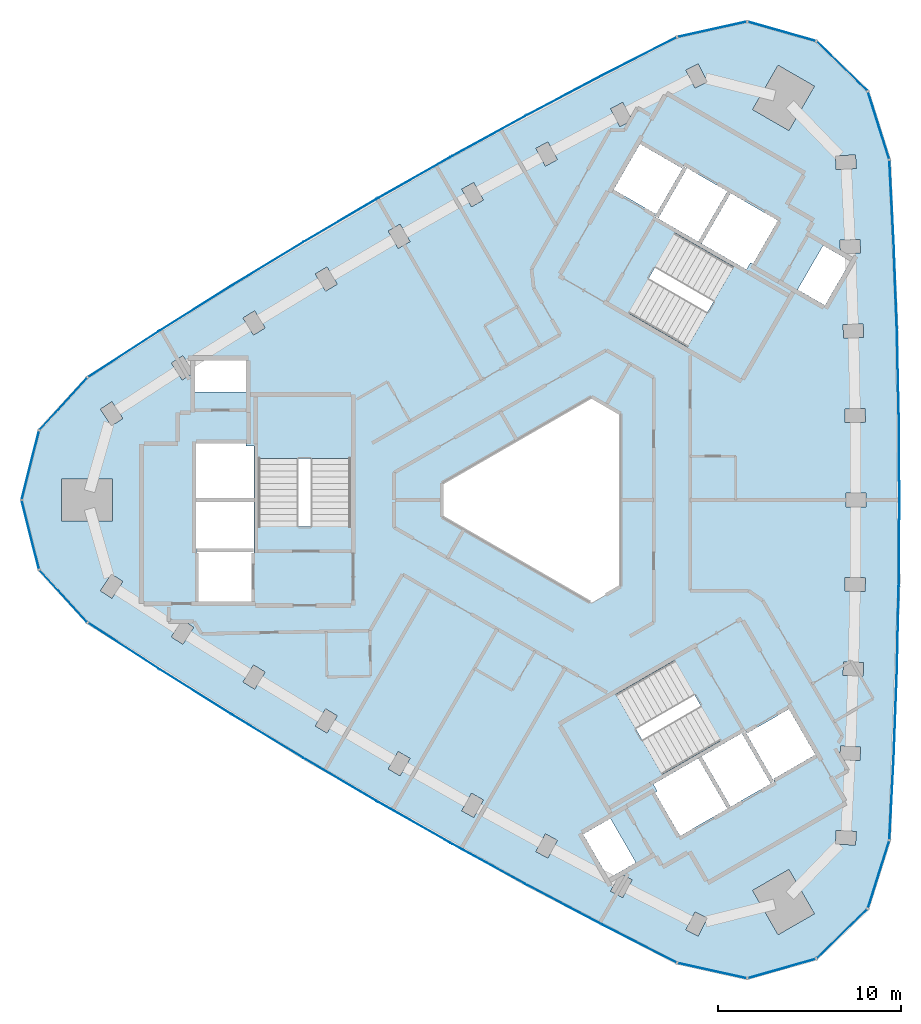
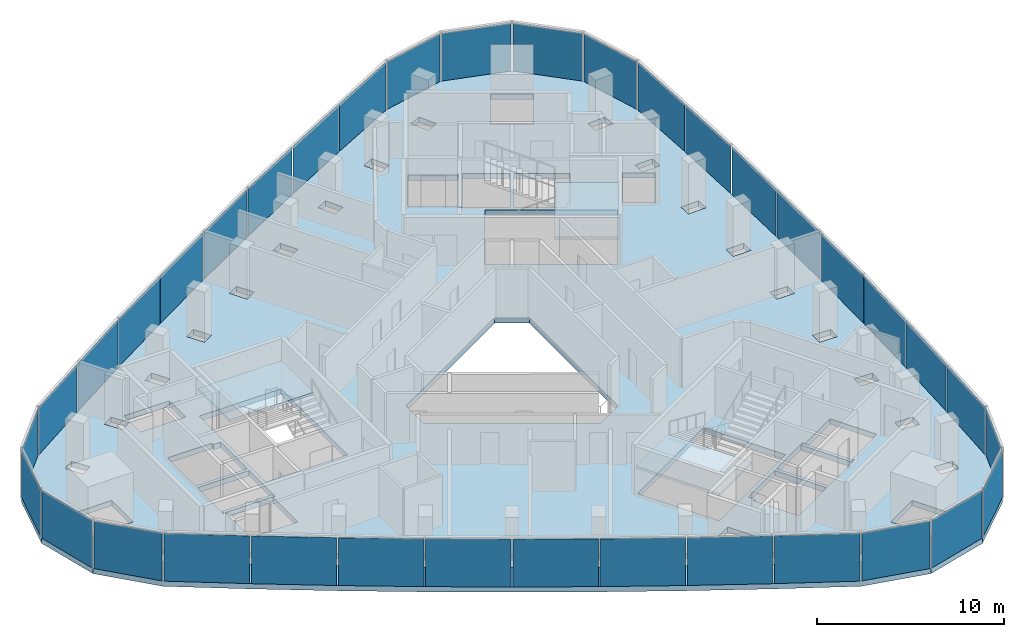
# One storey, part 6 of 11: 36 plates, 4 slabs, 6 elements without a shape of their own.
"""IFC4 building model written with IfcOpenShell, lengths in metres."""

from ifc_helpers import new_model, si_unit, direction, frame, origin, origin_2d, place, context, subcontext, project, spatial, polyline, rectangle, outline, extrude, material, layer, layer_set, type_object, element, aggregate, save


model = new_model("IFC4")

# Units and contexts
model_context = context("Model", 3, precision=1e-05, world=origin(), true_north=direction((0.0, 1.0)))
body_context = subcontext(model_context, "Body", "Model", "MODEL_VIEW")
ifc_project = project(units=[si_unit("LENGTHUNIT", "METRE"), si_unit("AREAUNIT", "SQUARE_METRE"), si_unit("VOLUMEUNIT", "CUBIC_METRE"), si_unit("PLANEANGLEUNIT", "RADIAN"), si_unit("MASSUNIT", "GRAM", prefix="KILO")], contexts=[model_context])

# Site, building, storey
site_placement = place(None, origin())
site = spatial("IfcSite", under=ifc_project, at=site_placement, CompositionType="ELEMENT")
building_placement = place(site_placement, origin())
building = spatial("IfcBuilding", under=site, at=building_placement, Name="Tamra Quay Hotel Tower", CompositionType="ELEMENT")
storey_placement = place(building_placement, frame((0.0, 0.0, 235.800048828125)))
storey = spatial("IfcBuildingStorey", under=building, at=storey_placement, Name="L59", CompositionType="ELEMENT", Elevation=235.800048828125)

# Stair, slab
ifc_material_1 = material(Name="Exit stair 2200 24 risers 150.0 going 342")
stair_type = type_object("IfcStairType", Name="Exit stair 2200 24 risers 150.0 going 342", PredefinedType="HALF_TURN_STAIR", material=ifc_material_1)
stair_1_placement = place(storey_placement, origin())
stair_1 = element("IfcStair", 1, at=stair_1_placement, inside=storey, type_object=stair_type, Name="L59 Exit stair ST3", PredefinedType="HALF_TURN_STAIR")
ifc_material_2 = material(Name="Concrete M70", Category="concrete")
ifc_layer_1 = layer(ifc_material_2, 0.175048828125)
ifc_layer_set_1 = layer_set([ifc_layer_1], Name="Concrete M70 stair landing 180")
slab_type_1 = type_object("IfcSlabType", Name="Concrete M70 stair landing 180", PredefinedType="LANDING", material=ifc_layer_set_1)
slab_1_placement = place(storey_placement, frame((0.0, 0.0, 1.625)))
slab_1 = element("IfcSlab", 2, at=slab_1_placement, type_object=slab_type_1, Name="ST3 landing 1", PredefinedType="LANDING", context=body_context, shape_type="SweptSolid", body=[
    extrude(outline(polyline([(-10.932373046875, 2.261962890625), (-10.932373046875, 5.679931640625), (-16.09130859375, 5.679931640625), (-16.09130859375, 2.261962890625), (-10.932373046875, 2.261962890625)])), origin(), (0.0, 0.0, 1.0), 0.175048828125),
])
aggregate(stair_1, [slab_1])

stair_2_placement = place(storey_placement, origin())
stair_2 = element("IfcStair", 3, at=stair_2_placement, inside=storey, type_object=stair_type, Name="L59 Exit stair ST1", PredefinedType="HALF_TURN_STAIR")
slab_2_placement = place(storey_placement, frame((0.0, 0.0, 1.625)))
slab_2 = element("IfcSlab", 4, at=slab_2_placement, type_object=slab_type_1, Name="ST1 landing 1", PredefinedType="LANDING", context=body_context, shape_type="SweptSolid", body=[
    extrude(outline(polyline([(7.425048828125, 8.336669921875), (10.385009765625, 6.627685546875), (12.964599609375, 11.095458984375), (10.00439453125, 12.804443359375), (7.425048828125, 8.336669921875)])), origin(), (0.0, 0.0, 1.0), 0.175048828125),
])
aggregate(stair_2, [slab_2])

stair_3_placement = place(storey_placement, origin())
stair_3 = element("IfcStair", 5, at=stair_3_placement, inside=storey, type_object=stair_type, Name="L59 Exit stair ST2", PredefinedType="HALF_TURN_STAIR")
slab_3_placement = place(storey_placement, frame((0.0, 0.0, 1.625)))
slab_3 = element("IfcSlab", 6, at=slab_3_placement, type_object=slab_type_1, Name="ST2 landing 1", PredefinedType="LANDING", context=body_context, shape_type="SweptSolid", body=[
    extrude(outline(polyline([(3.50732421875, -10.5986328125), (0.547119140625, -12.3076171875), (3.126708984375, -16.775390625), (6.086669921875, -15.06640625), (3.50732421875, -10.5986328125)])), origin(), (0.0, 0.0, 1.0), 0.175048828125),
])
aggregate(stair_3, [slab_3])

# Slab
ifc_material_3 = material(Name="Concrete M60", Category="concrete")
ifc_layer_2 = layer(ifc_material_3, 0.35009765625)
ifc_layer_set_2 = layer_set([ifc_layer_2], Name="FLOOR SLAB PT 350")
slab_type_2 = type_object("IfcSlabType", Name="FLOOR SLAB PT 350", PredefinedType="FLOOR", material=ifc_layer_set_2)
slab_4_placement = place(storey_placement, frame((0.0, 0.0, -0.35009765625)))
element("IfcSlab", 7, at=slab_4_placement, inside=storey, type_object=slab_type_2, Name="SLAB-L59", PredefinedType="FLOOR", context=body_context, shape_type="SweptSolid", body=[
    extrude(outline(polyline([(18.746826171875, 13.9765625), (18.918212890625, 9.31884765625), (19.020751953125, 4.66064453125), (19.05517578125, 0.0), (19.020751953125, -4.66064453125), (18.918212890625, -9.31884765625), (18.746826171875, -13.9765625), (18.50732421875, -18.63037109375), (17.323974609375, -22.38037109375), (14.503173828125, -25.1201171875), (10.719970703125, -26.193115234375), (6.880615234375, -25.343017578125), (2.730712890625, -23.223388671875), (-1.388671875, -21.04296875), (-5.47412109375, -18.802978515625), (-9.527587890625, -16.502197265625), (-13.546630859375, -14.14208984375), (-17.529296875, -11.72412109375), (-21.477294921875, -9.2470703125), (-25.387939453125, -6.712646484375), (-28.0439453125, -3.812744140625), (-29.006103515625, 0.0), (-28.0439453125, 3.812744140625), (-25.387939453125, 6.712646484375), (-21.477294921875, 9.2470703125), (-17.529296875, 11.72412109375), (-13.546630859375, 14.14208984375), (-9.527587890625, 16.502197265625), (-5.47412109375, 18.802978515625), (-1.388671875, 21.04296875), (2.730712890625, 23.223388671875), (6.880615234375, 25.343017578125), (10.719970703125, 26.193115234375), (14.503173828125, 25.1201171875), (17.323974609375, 22.38037109375), (18.50732421875, 18.63037109375), (18.746826171875, 13.9765625)]), holes=[polyline([(-8.9345703125, -14.724853515625), (-8.284912109375, -15.099853515625), (-7.73486328125, -14.147216796875), (-8.384521484375, -13.772216796875), (-8.9345703125, -14.724853515625)]), polyline([(-12.927001953125, -12.373779296875), (-12.283203125, -12.758544921875), (-11.718994140625, -11.814208984375), (-12.36279296875, -11.4296875), (-12.927001953125, -12.373779296875)]), polyline([(-16.885009765625, -9.964599609375), (-16.24658203125, -10.3583984375), (-15.669189453125, -9.422119140625), (-16.3076171875, -9.0283203125), (-16.885009765625, -9.964599609375)]), polyline([(-20.21533203125, -6.56982421875), (-20.806640625, -7.497314453125), (-20.17431640625, -7.900634765625), (-19.5830078125, -6.972900390625), (-20.21533203125, -6.56982421875)]), polyline([(-24.08740234375, -4.05419921875), (-24.69189453125, -4.972900390625), (-24.0654296875, -5.38525390625), (-23.460693359375, -4.46630859375), (-24.08740234375, -4.05419921875)]), polyline([(-19.4072265625, -2.85498046875), (-19.4072265625, -2.89306640625), (-19.307373046875, -2.89306640625), (-19.307373046875, -5.544921875), (-16.417236328125, -5.544921875), (-16.417236328125, -2.89306640625), (-16.3173828125, -2.89306640625), (-16.3173828125, -2.85498046875), (-19.4072265625, -2.85498046875)]), polyline([(-19.417236328125, -2.89306640625), (-19.417236328125, -2.64501953125), (-16.307373046875, -2.64501953125), (-16.307373046875, -2.89306640625), (-16.26708984375, -2.89306640625), (-16.26708984375, -0.10498046875), (-19.45751953125, -0.10498046875), (-19.45751953125, -2.89306640625), (-19.417236328125, -2.89306640625)]), polyline([(-24.0205078125, 1.14990234375), (-26.8203125, 1.14990234375), (-26.8203125, -1.14990234375), (-24.0205078125, -1.14990234375), (-24.0205078125, 1.14990234375)]), polyline([(-16.707275390625, 2.945068359375), (-16.707275390625, 3.09521484375), (-19.45751953125, 3.09521484375), (-19.45751953125, 0.10498046875), (-16.26708984375, 0.10498046875), (-16.26708984375, 2.945068359375), (-16.707275390625, 2.945068359375)]), polyline([(-16.036376953125, -1.455078125), (-10.9873046875, -1.455078125), (-10.9873046875, 5.625), (-16.036376953125, 5.625), (-16.036376953125, -1.455078125)]), polyline([(-23.460693359375, 4.46630859375), (-24.0654296875, 5.38525390625), (-24.69189453125, 4.972900390625), (-24.08740234375, 4.05419921875), (-23.460693359375, 4.46630859375)]), polyline([(-19.50732421875, 7.64501953125), (-19.50732421875, 5.9150390625), (-16.71728515625, 5.9150390625), (-16.71728515625, 7.64501953125), (-19.50732421875, 7.64501953125)]), polyline([(-19.5830078125, 6.972900390625), (-20.17431640625, 7.900634765625), (-20.806640625, 7.497314453125), (-20.21533203125, 6.56982421875), (-19.5830078125, 6.972900390625)]), polyline([(-15.669189453125, 9.422119140625), (-16.24658203125, 10.3583984375), (-16.885009765625, 9.964599609375), (-16.3076171875, 9.0283203125), (-15.669189453125, 9.422119140625)]), polyline([(-12.283203125, 12.758544921875), (-12.927001953125, 12.373779296875), (-12.36279296875, 11.4296875), (-11.718994140625, 11.814208984375), (-12.283203125, 12.758544921875)]), polyline([(-7.73486328125, 14.147216796875), (-8.284912109375, 15.099853515625), (-8.9345703125, 14.724853515625), (-8.384521484375, 13.772216796875), (-7.73486328125, 14.147216796875)]), polyline([(7.8623046875, -22.55078125), (7.368896484375, -23.533935546875), (8.039306640625, -23.870361328125), (8.53271484375, -22.88720703125), (7.8623046875, -22.55078125)]), polyline([(3.2451171875, -21.421875), (3.910400390625, -21.767822265625), (4.41796875, -20.7919921875), (3.752685546875, -20.44580078125), (3.2451171875, -21.421875)]), polyline([(1.73779296875, -18.300048828125), (3.1328125, -20.71630859375), (4.631103515625, -19.851318359375), (3.236083984375, -17.43505859375), (1.73779296875, -18.300048828125)]), polyline([(-0.3251953125, -18.281005859375), (-0.847412109375, -19.2490234375), (-0.187255859375, -19.60498046875), (0.334716796875, -18.636962890625), (-0.3251953125, -18.281005859375)]), polyline([(-4.90771484375, -17.016845703125), (-4.252685546875, -17.382080078125), (-3.716796875, -16.42138671875), (-4.3720703125, -16.05615234375), (-4.90771484375, -17.016845703125)]), polyline([(5.5830078125, -15.560302734375), (5.80322265625, -15.94140625), (5.673095703125, -16.0166015625), (7.04833984375, -18.398193359375), (9.6376953125, -16.903076171875), (8.042724609375, -14.14013671875), (5.5830078125, -15.560302734375)]), polyline([(12.214111328125, -15.369384765625), (11.999267578125, -15.493408203125), (10.4443359375, -12.800048828125), (10.6591796875, -12.676025390625), (10.63916015625, -12.64111328125), (8.224609375, -14.03515625), (9.819580078125, -16.798095703125), (12.234130859375, -15.404052734375), (12.214111328125, -15.369384765625)]), polyline([(6.75390625, -8.78759765625), (0.622314453125, -12.32763671875), (3.146728515625, -16.7001953125), (9.2783203125, -13.160400390625), (6.75390625, -8.78759765625)]), polyline([(-6.0, 0.923828125), (-6.0, -0.923828125), (2.199951171875, -5.657958984375), (3.800048828125, -4.734375), (3.800048828125, 4.734375), (2.199951171875, 5.657958984375), (-6.0, 0.923828125)]), polyline([(4.2333984375, 10.242919921875), (10.364990234375, 6.702880859375), (12.889404296875, 11.075439453125), (6.758056640625, 14.615478515625), (4.2333984375, 10.242919921875)]), polyline([(7.203125, 18.262451171875), (7.41796875, 18.138427734375), (5.863037109375, 15.445068359375), (5.648193359375, 15.569091796875), (5.628173828125, 15.5341796875), (8.04248046875, 14.140380859375), (9.6376953125, 16.903076171875), (7.22314453125, 18.297119140625), (7.203125, 18.262451171875)]), polyline([(-3.716796875, 16.42138671875), (-4.252685546875, 17.382080078125), (-4.90771484375, 17.016845703125), (-4.3720703125, 16.05615234375), (-3.716796875, 16.42138671875)]), polyline([(7.231201171875, 18.234619140625), (7.1982421875, 18.253662109375), (7.148193359375, 18.1669921875), (4.8515625, 19.4931640625), (3.406494140625, 16.990234375), (5.703125, 15.664306640625), (5.6533203125, 15.57763671875), (5.68603515625, 15.55859375), (7.231201171875, 18.234619140625)]), polyline([(0.334716796875, 18.636962890625), (-0.187255859375, 19.60498046875), (-0.847412109375, 19.2490234375), (-0.3251953125, 18.281005859375), (0.334716796875, 18.636962890625)]), polyline([(4.41796875, 20.7919921875), (3.910400390625, 21.767822265625), (3.2451171875, 21.421875), (3.752685546875, 20.44580078125), (4.41796875, 20.7919921875)]), polyline([(8.039306640625, 23.870361328125), (7.368896484375, 23.533935546875), (7.8623046875, 22.55078125), (8.53271484375, 22.88720703125), (8.039306640625, 23.870361328125)]), polyline([(11.014404296875, -21.377197265625), (12.414306640625, -23.802001953125), (14.406005859375, -22.652099609375), (13.006103515625, -20.227294921875), (11.014404296875, -21.377197265625)]), polyline([(15.554443359375, -18.8330078125), (16.652587890625, -18.8974609375), (16.696533203125, -18.148681640625), (15.598388671875, -18.08447265625), (15.554443359375, -18.8330078125)]), polyline([(16.896240234375, -14.2705078125), (16.92919921875, -13.52099609375), (15.830322265625, -13.472900390625), (15.79736328125, -14.22216796875), (16.896240234375, -14.2705078125)]), polyline([(10.631103515625, -12.70361328125), (12.176025390625, -15.379638671875), (12.208984375, -15.360595703125), (12.1591796875, -15.274169921875), (14.455810546875, -13.947998046875), (13.0107421875, -11.4453125), (10.714111328125, -12.771240234375), (10.6640625, -12.6845703125), (10.631103515625, -12.70361328125)]), polyline([(15.97265625, -9.6083984375), (17.072265625, -9.640380859375), (17.093994140625, -8.890625), (15.994384765625, -8.85888671875), (15.97265625, -9.6083984375)]), polyline([(17.1796875, -5.00830078125), (17.19091796875, -4.25830078125), (16.091064453125, -4.24169921875), (16.079833984375, -4.99169921875), (17.1796875, -5.00830078125)]), polyline([(16.119384765625, -0.375), (17.219482421875, -0.375), (17.219482421875, 0.375), (16.119384765625, 0.375), (16.119384765625, -0.375)]), polyline([(16.091064453125, 4.24169921875), (17.19091796875, 4.25830078125), (17.1796875, 5.00830078125), (16.079833984375, 4.99169921875), (16.091064453125, 4.24169921875)]), polyline([(17.093994140625, 8.890625), (17.072265625, 9.640380859375), (15.97265625, 9.6083984375), (15.994384765625, 8.85888671875), (17.093994140625, 8.890625)]), polyline([(14.9794921875, 10.655029296875), (16.37451171875, 13.0712890625), (14.876220703125, 13.936279296875), (13.481201171875, 11.52001953125), (14.9794921875, 10.655029296875)]), polyline([(15.830322265625, 13.472900390625), (16.92919921875, 13.52099609375), (16.896240234375, 14.2705078125), (15.79736328125, 14.22216796875), (15.830322265625, 13.472900390625)]), polyline([(10.904052734375, 12.996337890625), (11.0341796875, 12.92138671875), (12.4091796875, 15.302978515625), (9.819580078125, 16.798095703125), (8.224365234375, 14.035400390625), (10.68408203125, 12.615234375), (10.904052734375, 12.996337890625)]), polyline([(15.598388671875, 18.08447265625), (16.696533203125, 18.148681640625), (16.652587890625, 18.8974609375), (15.554443359375, 18.8330078125), (15.598388671875, 18.08447265625)]), polyline([(13.006103515625, 20.227294921875), (14.406005859375, 22.652099609375), (12.414306640625, 23.802001953125), (11.014404296875, 21.377197265625), (13.006103515625, 20.227294921875)])]), origin(), (0.0, 0.0, 1.0), 0.35009765625),
])

# Curtain wall, plates
ifc_material_4 = material(Name="Aluminium 6063 anodised dark grey", Category="aluminium")
curtain_wall_type_1 = type_object("IfcCurtainWallType", Name="CW1 CURTAIN WALL", PredefinedType="NOTDEFINED", material=ifc_material_4)
curtain_wall_1_placement = place(storey_placement, origin())
curtain_wall_1 = element("IfcCurtainWall", 8, at=curtain_wall_1_placement, inside=storey, type_object=curtain_wall_type_1, Name="CW1 east face L59", PredefinedType="NOTDEFINED")
ifc_material_5 = material(Name="Glass clear laminated low-iron", Category="glass")
ifc_layer_3 = layer(ifc_material_5, 0.028076171875)
ifc_layer_set_3 = layer_set([ifc_layer_3], Name="GLASS PANEL CW1 Z5")
plate_type_1 = type_object("IfcPlateType", Name="GLASS PANEL CW1 Z5", PredefinedType="CURTAIN_PANEL", material=ifc_layer_set_3)
plate_1_placement = place(storey_placement, frame((18.626953125, -16.303466796875, 0.0), z_axis=(0.0, 0.0, 1.0), x_axis=(0.05140283052, 0.998678000666, 0.0)))
plate_1 = element("IfcPlate", 9, at=plate_1_placement, type_object=plate_type_1, Name="CW1 glass L59.E.1", PredefinedType="CURTAIN_PANEL", context=body_context, shape_type="SweptSolid", body=[
    extrude(rectangle(XDim=4.56005859375, YDim=0.028076171875, at=origin_2d()), origin(), (0.0, 0.0, 1.0), 3.110107421875),
])
plate_2_placement = place(storey_placement, frame((18.83251953125, -11.647705078125, 0.0), z_axis=(0.0, 0.0, 1.0), x_axis=(0.036744002612, 0.999324711128, 0.0)))
plate_2 = element("IfcPlate", 10, at=plate_2_placement, type_object=plate_type_1, Name="CW1 glass L59.E.2", PredefinedType="CURTAIN_PANEL", context=body_context, shape_type="SweptSolid", body=[
    extrude(rectangle(XDim=4.560791015625, YDim=0.028076171875, at=origin_2d()), origin(), (0.0, 0.0, 1.0), 3.110107421875),
])
plate_3_placement = place(storey_placement, frame((18.969482421875, -6.98974609375, 0.0), z_axis=(0.0, 0.0, 1.0), x_axis=(0.022062714066, 0.999756588699, 0.0)))
plate_3 = element("IfcPlate", 11, at=plate_3_placement, type_object=plate_type_1, Name="CW1 glass L59.E.3", PredefinedType="CURTAIN_PANEL", context=body_context, shape_type="SweptSolid", body=[
    extrude(rectangle(XDim=4.559326171875, YDim=0.028076171875, at=origin_2d()), origin(), (0.0, 0.0, 1.0), 3.110107421875),
])
plate_4_placement = place(storey_placement, frame((19.0380859375, -2.330322265625, 0.0), z_axis=(0.0, 0.0, 1.0), x_axis=(0.007362119462, 0.999972899231, 0.0)))
plate_4 = element("IfcPlate", 12, at=plate_4_placement, type_object=plate_type_1, Name="CW1 glass L59.E.4", PredefinedType="CURTAIN_PANEL", context=body_context, shape_type="SweptSolid", body=[
    extrude(rectangle(XDim=4.560791015625, YDim=0.028076171875, at=origin_2d()), origin(), (0.0, 0.0, 1.0), 3.110107421875),
])
plate_5_placement = place(storey_placement, frame((19.0380859375, 2.330322265625, 0.0), z_axis=(0.0, 0.0, 1.0), x_axis=(-0.007362119462, 0.999972899231, 0.0)))
plate_5 = element("IfcPlate", 13, at=plate_5_placement, type_object=plate_type_1, Name="CW1 glass L59.E.5", PredefinedType="CURTAIN_PANEL", context=body_context, shape_type="SweptSolid", body=[
    extrude(rectangle(XDim=4.560791015625, YDim=0.028076171875, at=origin_2d()), origin(), (0.0, 0.0, 1.0), 3.110107421875),
])
plate_6_placement = place(storey_placement, frame((18.969482421875, 6.98974609375, 0.0), z_axis=(0.0, 0.0, 1.0), x_axis=(-0.022062714066, 0.999756588699, 0.0)))
plate_6 = element("IfcPlate", 14, at=plate_6_placement, type_object=plate_type_1, Name="CW1 glass L59.E.6", PredefinedType="CURTAIN_PANEL", context=body_context, shape_type="SweptSolid", body=[
    extrude(rectangle(XDim=4.559326171875, YDim=0.028076171875, at=origin_2d()), origin(), (0.0, 0.0, 1.0), 3.110107421875),
])
plate_7_placement = place(storey_placement, frame((18.83251953125, 11.647705078125, 0.0), z_axis=(0.0, 0.0, 1.0), x_axis=(-0.036744002612, 0.999324711128, 0.0)))
plate_7 = element("IfcPlate", 15, at=plate_7_placement, type_object=plate_type_1, Name="CW1 glass L59.E.7", PredefinedType="CURTAIN_PANEL", context=body_context, shape_type="SweptSolid", body=[
    extrude(rectangle(XDim=4.560791015625, YDim=0.028076171875, at=origin_2d()), origin(), (0.0, 0.0, 1.0), 3.110107421875),
])
plate_8_placement = place(storey_placement, frame((18.626953125, 16.303466796875, 0.0), z_axis=(0.0, 0.0, 1.0), x_axis=(-0.05140283052, 0.998678000666, 0.0)))
plate_8 = element("IfcPlate", 16, at=plate_8_placement, type_object=plate_type_1, Name="CW1 glass L59.E.8", PredefinedType="CURTAIN_PANEL", context=body_context, shape_type="SweptSolid", body=[
    extrude(rectangle(XDim=4.56005859375, YDim=0.028076171875, at=origin_2d()), origin(), (0.0, 0.0, 1.0), 3.110107421875),
])
plate_9_placement = place(storey_placement, frame((17.91552734375, 20.50537109375, 0.0), z_axis=(0.0, 0.0, 1.0), x_axis=(-0.30090299279, 0.95365475353, 0.0)))
plate_9 = element("IfcPlate", 17, at=plate_9_placement, type_object=plate_type_1, Name="CW1 glass L59.E.9", PredefinedType="CURTAIN_PANEL", context=body_context, shape_type="SweptSolid", body=[
    extrude(rectangle(XDim=3.832275390625, YDim=0.028076171875, at=origin_2d()), origin(), (0.0, 0.0, 1.0), 3.110107421875),
])
plate_10_placement = place(storey_placement, frame((15.91357421875, 23.750244140625, 0.0), z_axis=(0.0, 0.0, 1.0), x_axis=(-0.717364100925, 0.696698461821, 0.0)))
plate_10 = element("IfcPlate", 18, at=plate_10_placement, type_object=plate_type_1, Name="CW1 glass L59.E.10", PredefinedType="CURTAIN_PANEL", context=body_context, shape_type="SweptSolid", body=[
    extrude(rectangle(XDim=3.832275390625, YDim=0.028076171875, at=origin_2d()), origin(), (0.0, 0.0, 1.0), 3.110107421875),
])
plate_11_placement = place(storey_placement, frame((12.611572265625, 25.65673828125, 0.0), z_axis=(0.0, 0.0, 1.0), x_axis=(-0.962040617177, 0.272906304254, 0.0)))
plate_11 = element("IfcPlate", 19, at=plate_11_placement, type_object=plate_type_1, Name="CW1 glass L59.E.11", PredefinedType="CURTAIN_PANEL", context=body_context, shape_type="SweptSolid", body=[
    extrude(rectangle(XDim=3.832275390625, YDim=0.028076171875, at=origin_2d()), origin(), (0.0, 0.0, 1.0), 3.110107421875),
])
plate_12_placement = place(storey_placement, frame((8.80029296875, 25.76806640625, 0.0), z_axis=(0.0, 0.0, 1.0), x_axis=(-0.976340739392, -0.216237740934, 0.0)))
plate_12 = element("IfcPlate", 20, at=plate_12_placement, type_object=plate_type_1, Name="CW1 glass L59.E.12", PredefinedType="CURTAIN_PANEL", context=body_context, shape_type="SweptSolid", body=[
    extrude(rectangle(XDim=3.832275390625, YDim=0.028076171875, at=origin_2d()), origin(), (0.0, 0.0, 1.0), 3.110107421875),
])
aggregate(curtain_wall_1, [plate_1, plate_2, plate_3, plate_4, plate_5, plate_6, plate_7, plate_8, plate_9, plate_10, plate_11, plate_12])

curtain_wall_type_2 = type_object("IfcCurtainWallType", Name="CW2 CURTAIN WALL", PredefinedType="NOTDEFINED", material=ifc_material_4)
curtain_wall_2_placement = place(storey_placement, origin())
curtain_wall_2 = element("IfcCurtainWall", 21, at=curtain_wall_2_placement, inside=storey, type_object=curtain_wall_type_2, Name="CW2 north-west face L59", PredefinedType="NOTDEFINED")
ifc_layer_4 = layer(ifc_material_5, 0.028076171875)
ifc_layer_set_4 = layer_set([ifc_layer_4], Name="GLASS PANEL CW2 Z5")
plate_type_2 = type_object("IfcPlateType", Name="GLASS PANEL CW2 Z5", PredefinedType="CURTAIN_PANEL", material=ifc_layer_set_4)
plate_13_placement = place(storey_placement, frame((4.8056640625, 24.283203125, 0.0), z_axis=(0.0, 0.0, 1.0), x_axis=(-0.890581934038, -0.454822843276, 0.0)))
plate_13 = element("IfcPlate", 22, at=plate_13_placement, type_object=plate_type_2, Name="CW2 glass L59.NW.1", PredefinedType="CURTAIN_PANEL", context=body_context, shape_type="SweptSolid", body=[
    extrude(rectangle(XDim=4.56005859375, YDim=0.028076171875, at=origin_2d()), origin(), (0.0, 0.0, 1.0), 3.110107421875),
])
plate_14_placement = place(storey_placement, frame((0.6708984375, 22.13330078125, 0.0), z_axis=(0.0, 0.0, 1.0), x_axis=(-0.883812587773, -0.467841115866, 0.0)))
plate_14 = element("IfcPlate", 23, at=plate_14_placement, type_object=plate_type_2, Name="CW2 glass L59.NW.2", PredefinedType="CURTAIN_PANEL", context=body_context, shape_type="SweptSolid", body=[
    extrude(rectangle(XDim=4.560791015625, YDim=0.028076171875, at=origin_2d()), origin(), (0.0, 0.0, 1.0), 3.110107421875),
])
plate_15_placement = place(storey_placement, frame((-3.431396484375, 19.9228515625, 0.0), z_axis=(0.0, 0.0, 1.0), x_axis=(-0.876845960448, -0.480771423492, 0.0)))
plate_15 = element("IfcPlate", 24, at=plate_15_placement, type_object=plate_type_2, Name="CW2 glass L59.NW.3", PredefinedType="CURTAIN_PANEL", context=body_context, shape_type="SweptSolid", body=[
    extrude(rectangle(XDim=4.559326171875, YDim=0.028076171875, at=origin_2d()), origin(), (0.0, 0.0, 1.0), 3.110107421875),
])
plate_16_placement = place(storey_placement, frame((-7.500732421875, 17.652587890625, 0.0), z_axis=(0.0, 0.0, 1.0), x_axis=(-0.869682993561, -0.493610667136, 0.0)))
plate_16 = element("IfcPlate", 25, at=plate_16_placement, type_object=plate_type_2, Name="CW2 glass L59.NW.4", PredefinedType="CURTAIN_PANEL", context=body_context, shape_type="SweptSolid", body=[
    extrude(rectangle(XDim=4.560791015625, YDim=0.028076171875, at=origin_2d()), origin(), (0.0, 0.0, 1.0), 3.110107421875),
])
plate_17_placement = place(storey_placement, frame((-11.537109375, 15.322265625, 0.0), z_axis=(0.0, 0.0, 1.0), x_axis=(-0.862320874099, -0.506362232095, 0.0)))
plate_17 = element("IfcPlate", 26, at=plate_17_placement, type_object=plate_type_2, Name="CW2 glass L59.NW.5", PredefinedType="CURTAIN_PANEL", context=body_context, shape_type="SweptSolid", body=[
    extrude(rectangle(XDim=4.560791015625, YDim=0.028076171875, at=origin_2d()), origin(), (0.0, 0.0, 1.0), 3.110107421875),
])
plate_18_placement = place(storey_placement, frame((-15.5380859375, 12.93310546875, 0.0), z_axis=(0.0, 0.0, 1.0), x_axis=(-0.854783246382, -0.518985165207, 0.0)))
plate_18 = element("IfcPlate", 27, at=plate_18_placement, type_object=plate_type_2, Name="CW2 glass L59.NW.6", PredefinedType="CURTAIN_PANEL", context=body_context, shape_type="SweptSolid", body=[
    extrude(rectangle(XDim=4.559326171875, YDim=0.028076171875, at=origin_2d()), origin(), (0.0, 0.0, 1.0), 3.110107421875),
])
plate_19_placement = place(storey_placement, frame((-19.50341796875, 10.485595703125, 0.0), z_axis=(0.0, 0.0, 1.0), x_axis=(-0.847068585161, -0.531483595263, 0.0)))
plate_19 = element("IfcPlate", 28, at=plate_19_placement, type_object=plate_type_2, Name="CW2 glass L59.NW.7", PredefinedType="CURTAIN_PANEL", context=body_context, shape_type="SweptSolid", body=[
    extrude(rectangle(XDim=4.560791015625, YDim=0.028076171875, at=origin_2d()), origin(), (0.0, 0.0, 1.0), 3.110107421875),
])
plate_20_placement = place(storey_placement, frame((-23.4326171875, 7.979736328125, 0.0), z_axis=(0.0, 0.0, 1.0), x_axis=(-0.839179103518, -0.54385515739, 0.0)))
plate_20 = element("IfcPlate", 29, at=plate_20_placement, type_object=plate_type_2, Name="CW2 glass L59.NW.8", PredefinedType="CURTAIN_PANEL", context=body_context, shape_type="SweptSolid", body=[
    extrude(rectangle(XDim=4.56005859375, YDim=0.028076171875, at=origin_2d()), origin(), (0.0, 0.0, 1.0), 3.110107421875),
])
plate_21_placement = place(storey_placement, frame((-26.716064453125, 5.2626953125, 0.0), z_axis=(0.0, 0.0, 1.0), x_axis=(-0.675437746601, -0.737417012596, 0.0)))
plate_21 = element("IfcPlate", 30, at=plate_21_placement, type_object=plate_type_2, Name="CW2 glass L59.NW.9", PredefinedType="CURTAIN_PANEL", context=body_context, shape_type="SweptSolid", body=[
    extrude(rectangle(XDim=3.832275390625, YDim=0.028076171875, at=origin_2d()), origin(), (0.0, 0.0, 1.0), 3.110107421875),
])
plate_22_placement = place(storey_placement, frame((-28.525146484375, 1.906494140625, 0.0), z_axis=(0.0, 0.0, 1.0), x_axis=(-0.244676516252, -0.969604766075, 0.0)))
plate_22 = element("IfcPlate", 31, at=plate_22_placement, type_object=plate_type_2, Name="CW2 glass L59.NW.10", PredefinedType="CURTAIN_PANEL", context=body_context, shape_type="SweptSolid", body=[
    extrude(rectangle(XDim=3.832275390625, YDim=0.028076171875, at=origin_2d()), origin(), (0.0, 0.0, 1.0), 3.110107421875),
])
plate_23_placement = place(storey_placement, frame((-28.525146484375, -1.906494140625, 0.0), z_axis=(0.0, 0.0, 1.0), x_axis=(0.244676516252, -0.969604766075, 0.0)))
plate_23 = element("IfcPlate", 32, at=plate_23_placement, type_object=plate_type_2, Name="CW2 glass L59.NW.11", PredefinedType="CURTAIN_PANEL", context=body_context, shape_type="SweptSolid", body=[
    extrude(rectangle(XDim=3.832275390625, YDim=0.028076171875, at=origin_2d()), origin(), (0.0, 0.0, 1.0), 3.110107421875),
])
plate_24_placement = place(storey_placement, frame((-26.716064453125, -5.2626953125, 0.0), z_axis=(0.0, 0.0, 1.0), x_axis=(0.675437746601, -0.737417012596, 0.0)))
plate_24 = element("IfcPlate", 33, at=plate_24_placement, type_object=plate_type_2, Name="CW2 glass L59.NW.12", PredefinedType="CURTAIN_PANEL", context=body_context, shape_type="SweptSolid", body=[
    extrude(rectangle(XDim=3.832275390625, YDim=0.028076171875, at=origin_2d()), origin(), (0.0, 0.0, 1.0), 3.110107421875),
])
aggregate(curtain_wall_2, [plate_13, plate_14, plate_15, plate_16, plate_17, plate_18, plate_19, plate_20, plate_21, plate_22, plate_23, plate_24])

curtain_wall_type_3 = type_object("IfcCurtainWallType", Name="CW3 CURTAIN WALL", PredefinedType="NOTDEFINED", material=ifc_material_4)
curtain_wall_3_placement = place(storey_placement, origin())
curtain_wall_3 = element("IfcCurtainWall", 34, at=curtain_wall_3_placement, inside=storey, type_object=curtain_wall_type_3, Name="CW3 south-west face L59", PredefinedType="NOTDEFINED")
ifc_layer_5 = layer(ifc_material_5, 0.028076171875)
ifc_layer_set_5 = layer_set([ifc_layer_5], Name="GLASS PANEL CW3 Z5")
plate_type_3 = type_object("IfcPlateType", Name="GLASS PANEL CW3 Z5", PredefinedType="CURTAIN_PANEL", material=ifc_layer_set_5)
plate_25_placement = place(storey_placement, frame((-23.4326171875, -7.979736328125, 0.0), z_axis=(0.0, 0.0, 1.0), x_axis=(0.839179103518, -0.54385515739, 0.0)))
plate_25 = element("IfcPlate", 35, at=plate_25_placement, type_object=plate_type_3, Name="CW3 glass L59.SW.1", PredefinedType="CURTAIN_PANEL", context=body_context, shape_type="SweptSolid", body=[
    extrude(rectangle(XDim=4.56005859375, YDim=0.028076171875, at=origin_2d()), origin(), (0.0, 0.0, 1.0), 3.110107421875),
])
plate_26_placement = place(storey_placement, frame((-19.50341796875, -10.485595703125, 0.0), z_axis=(0.0, 0.0, 1.0), x_axis=(0.847068585161, -0.531483595263, 0.0)))
plate_26 = element("IfcPlate", 36, at=plate_26_placement, type_object=plate_type_3, Name="CW3 glass L59.SW.2", PredefinedType="CURTAIN_PANEL", context=body_context, shape_type="SweptSolid", body=[
    extrude(rectangle(XDim=4.560791015625, YDim=0.028076171875, at=origin_2d()), origin(), (0.0, 0.0, 1.0), 3.110107421875),
])
plate_27_placement = place(storey_placement, frame((-15.5380859375, -12.93310546875, 0.0), z_axis=(0.0, 0.0, 1.0), x_axis=(0.854783246382, -0.518985165207, 0.0)))
plate_27 = element("IfcPlate", 37, at=plate_27_placement, type_object=plate_type_3, Name="CW3 glass L59.SW.3", PredefinedType="CURTAIN_PANEL", context=body_context, shape_type="SweptSolid", body=[
    extrude(rectangle(XDim=4.559326171875, YDim=0.028076171875, at=origin_2d()), origin(), (0.0, 0.0, 1.0), 3.110107421875),
])
plate_28_placement = place(storey_placement, frame((-11.537109375, -15.322265625, 0.0), z_axis=(0.0, 0.0, 1.0), x_axis=(0.862320874099, -0.506362232095, 0.0)))
plate_28 = element("IfcPlate", 38, at=plate_28_placement, type_object=plate_type_3, Name="CW3 glass L59.SW.4", PredefinedType="CURTAIN_PANEL", context=body_context, shape_type="SweptSolid", body=[
    extrude(rectangle(XDim=4.560791015625, YDim=0.028076171875, at=origin_2d()), origin(), (0.0, 0.0, 1.0), 3.110107421875),
])
plate_29_placement = place(storey_placement, frame((-7.500732421875, -17.652587890625, 0.0), z_axis=(0.0, 0.0, 1.0), x_axis=(0.869682993561, -0.493610667136, 0.0)))
plate_29 = element("IfcPlate", 39, at=plate_29_placement, type_object=plate_type_3, Name="CW3 glass L59.SW.5", PredefinedType="CURTAIN_PANEL", context=body_context, shape_type="SweptSolid", body=[
    extrude(rectangle(XDim=4.560791015625, YDim=0.028076171875, at=origin_2d()), origin(), (0.0, 0.0, 1.0), 3.110107421875),
])
plate_30_placement = place(storey_placement, frame((-3.431396484375, -19.9228515625, 0.0), z_axis=(0.0, 0.0, 1.0), x_axis=(0.876845960448, -0.480771423492, 0.0)))
plate_30 = element("IfcPlate", 40, at=plate_30_placement, type_object=plate_type_3, Name="CW3 glass L59.SW.6", PredefinedType="CURTAIN_PANEL", context=body_context, shape_type="SweptSolid", body=[
    extrude(rectangle(XDim=4.559326171875, YDim=0.028076171875, at=origin_2d()), origin(), (0.0, 0.0, 1.0), 3.110107421875),
])
plate_31_placement = place(storey_placement, frame((0.6708984375, -22.13330078125, 0.0), z_axis=(0.0, 0.0, 1.0), x_axis=(0.883812587773, -0.467841115866, 0.0)))
plate_31 = element("IfcPlate", 41, at=plate_31_placement, type_object=plate_type_3, Name="CW3 glass L59.SW.7", PredefinedType="CURTAIN_PANEL", context=body_context, shape_type="SweptSolid", body=[
    extrude(rectangle(XDim=4.560791015625, YDim=0.028076171875, at=origin_2d()), origin(), (0.0, 0.0, 1.0), 3.110107421875),
])
plate_32_placement = place(storey_placement, frame((4.8056640625, -24.283203125, 0.0), z_axis=(0.0, 0.0, 1.0), x_axis=(0.890581934038, -0.454822843276, 0.0)))
plate_32 = element("IfcPlate", 42, at=plate_32_placement, type_object=plate_type_3, Name="CW3 glass L59.SW.8", PredefinedType="CURTAIN_PANEL", context=body_context, shape_type="SweptSolid", body=[
    extrude(rectangle(XDim=4.56005859375, YDim=0.028076171875, at=origin_2d()), origin(), (0.0, 0.0, 1.0), 3.110107421875),
])
plate_33_placement = place(storey_placement, frame((8.80029296875, -25.76806640625, 0.0), z_axis=(0.0, 0.0, 1.0), x_axis=(0.976340739392, -0.216237740934, 0.0)))
plate_33 = element("IfcPlate", 43, at=plate_33_placement, type_object=plate_type_3, Name="CW3 glass L59.SW.9", PredefinedType="CURTAIN_PANEL", context=body_context, shape_type="SweptSolid", body=[
    extrude(rectangle(XDim=3.832275390625, YDim=0.028076171875, at=origin_2d()), origin(), (0.0, 0.0, 1.0), 3.110107421875),
])
plate_34_placement = place(storey_placement, frame((12.611572265625, -25.65673828125, 0.0), z_axis=(0.0, 0.0, 1.0), x_axis=(0.962040617177, 0.272906304254, 0.0)))
plate_34 = element("IfcPlate", 44, at=plate_34_placement, type_object=plate_type_3, Name="CW3 glass L59.SW.10", PredefinedType="CURTAIN_PANEL", context=body_context, shape_type="SweptSolid", body=[
    extrude(rectangle(XDim=3.832275390625, YDim=0.028076171875, at=origin_2d()), origin(), (0.0, 0.0, 1.0), 3.110107421875),
])
plate_35_placement = place(storey_placement, frame((15.91357421875, -23.750244140625, 0.0), z_axis=(0.0, 0.0, 1.0), x_axis=(0.717364100925, 0.696698461821, 0.0)))
plate_35 = element("IfcPlate", 45, at=plate_35_placement, type_object=plate_type_3, Name="CW3 glass L59.SW.11", PredefinedType="CURTAIN_PANEL", context=body_context, shape_type="SweptSolid", body=[
    extrude(rectangle(XDim=3.832275390625, YDim=0.028076171875, at=origin_2d()), origin(), (0.0, 0.0, 1.0), 3.110107421875),
])
plate_36_placement = place(storey_placement, frame((17.91552734375, -20.50537109375, 0.0), z_axis=(0.0, 0.0, 1.0), x_axis=(0.30090299279, 0.95365475353, 0.0)))
plate_36 = element("IfcPlate", 46, at=plate_36_placement, type_object=plate_type_3, Name="CW3 glass L59.SW.12", PredefinedType="CURTAIN_PANEL", context=body_context, shape_type="SweptSolid", body=[
    extrude(rectangle(XDim=3.832275390625, YDim=0.028076171875, at=origin_2d()), origin(), (0.0, 0.0, 1.0), 3.110107421875),
])
aggregate(curtain_wall_3, [plate_25, plate_26, plate_27, plate_28, plate_29, plate_30, plate_31, plate_32, plate_33, plate_34, plate_35, plate_36])

save(model, "model.ifc")
